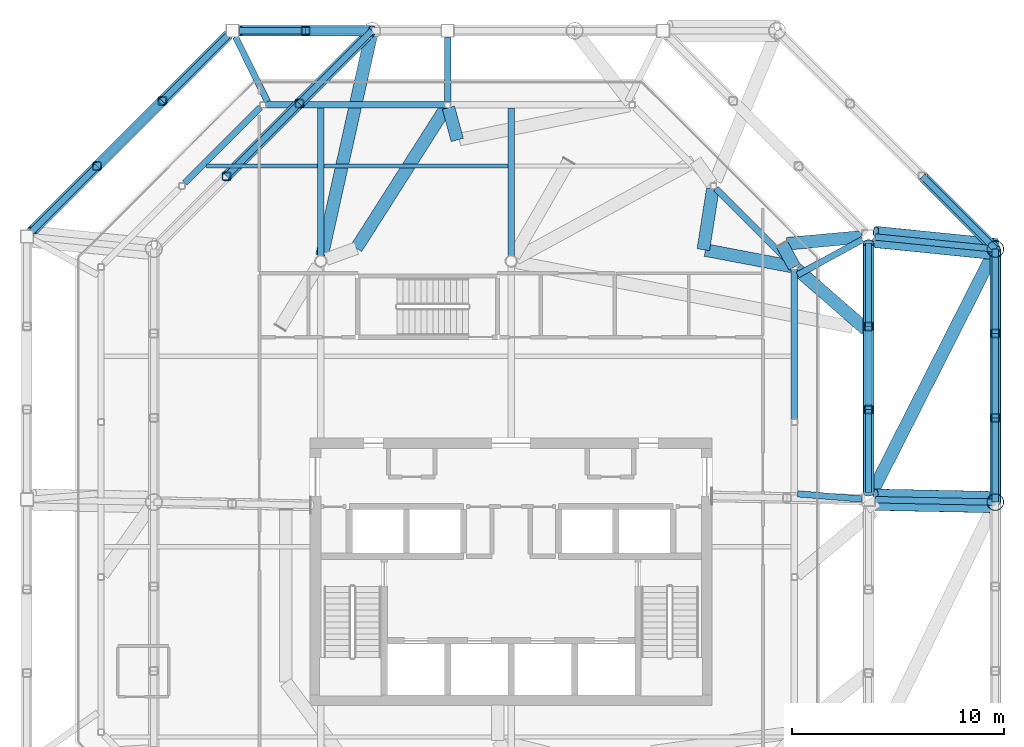
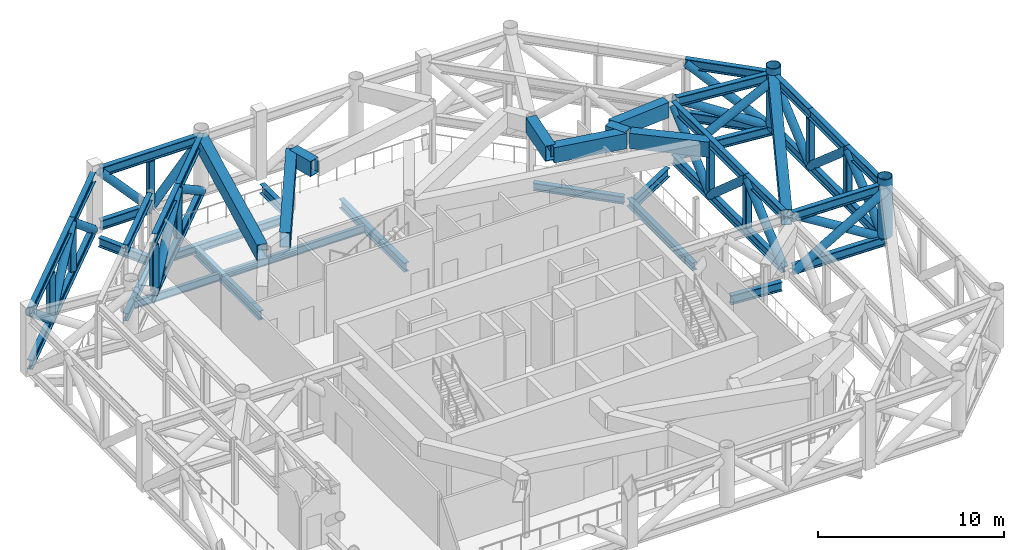
# One storey, part 5 of 14: 48 beams, 29 members.
"""IFC4 building model written with IfcOpenShell, lengths in metres."""

from ifc_helpers import new_model, si_unit, direction, frame, origin, origin_2d, place, context, subcontext, project, spatial, hollow_rectangle, hollow_circle, i_section, extrude, material, material_profile, profile_set, type_object, element, save


model = new_model("IFC4")

# Units and contexts
model_context = context("Model", 3, precision=1e-05, world=origin(), true_north=direction((0.0, 1.0)))
body_context = subcontext(model_context, "Body", "Model", "MODEL_VIEW")
ifc_project = project(units=[si_unit("LENGTHUNIT", "METRE"), si_unit("AREAUNIT", "SQUARE_METRE"), si_unit("VOLUMEUNIT", "CUBIC_METRE"), si_unit("PLANEANGLEUNIT", "RADIAN"), si_unit("MASSUNIT", "GRAM", prefix="KILO")], contexts=[model_context])

# Site, building, storey
site_placement = place(None, origin())
site = spatial("IfcSite", under=ifc_project, at=site_placement, CompositionType="ELEMENT")
building_placement = place(site_placement, origin())
building = spatial("IfcBuilding", under=site, at=building_placement, Name="Tskaro Facet Tower", CompositionType="ELEMENT")
storey_placement = place(building_placement, frame((0.0, 0.0, 255.0)))
storey = spatial("IfcBuildingStorey", under=building, at=storey_placement, Name="L67", CompositionType="ELEMENT", Elevation=255.0)

# Beams
ifc_material_1 = material(Name="Steel S355J2", Category="steel")
ifc_material_profile_1 = material_profile(ifc_material_1, hollow_rectangle(XDim=0.60009765625, YDim=1.0, WallThickness=0.0400390625, at=origin_2d()), Name="BOX 600x1000x40")
ifc_profile_set_1 = profile_set([ifc_material_profile_1], Name="Steel S355J2")
beam_type_1 = type_object("IfcBeamType", Name="BOX 600x1000x40 transfer girder", PredefinedType="BEAM", material=ifc_profile_set_1)
beam_1_placement = place(storey_placement, frame((12.802001953125, 9.802001953125, 3.580078125), z_axis=(0.479924772717, -0.877309644614, 0.0), x_axis=(0.877309644614, 0.479924772717, 0.0)))
element("IfcBeam", 1, at=beam_1_placement, inside=storey, type_object=beam_type_1, Name="BOX 600x1000x40 TG6-5", PredefinedType="BEAM", context=body_context, shape_type="SweptSolid", body=[
    extrude(hollow_rectangle(XDim=0.60009765625, YDim=1.0, WallThickness=0.0400390625, at=origin_2d()), origin(), (0.0, 0.0, 1.0), 1.2275390625),
])
beam_2_placement = place(storey_placement, frame((13.041015625, 9.82373046875, 3.580078125), z_axis=(0.995846893238, 0.09104375447, 0.0), x_axis=(-0.09104375447, 0.995846893238, 0.0)))
element("IfcBeam", 2, at=beam_2_placement, inside=storey, type_object=beam_type_1, Name="BOX 600x1000x40 TG6-6", PredefinedType="BEAM", context=body_context, shape_type="SweptSolid", body=[
    extrude(hollow_rectangle(XDim=0.60009765625, YDim=1.0, WallThickness=0.0400390625, at=origin_2d()), origin(), (0.0, 0.0, 1.0), 3.552978515625),
])
beam_3_placement = place(storey_placement, frame((-2.547607421875, 14.730712890625, 3.580078125), z_axis=(-0.262869093541, 0.964831508431, 0.0), x_axis=(-0.964831508431, -0.262869093541, 0.0)))
element("IfcBeam", 3, at=beam_3_placement, inside=storey, type_object=beam_type_1, Name="BOX 600x1000x40 TG6-11", PredefinedType="BEAM", context=body_context, shape_type="SweptSolid", body=[
    extrude(hollow_rectangle(XDim=0.60009765625, YDim=1.0, WallThickness=0.0400390625, at=origin_2d()), origin(), (0.0, 0.0, 1.0), 1.580810546875),
])
beam_4_placement = place(storey_placement, frame((-7.31787109375, 9.61279296875, 3.580078125), z_axis=(0.537271531332, 0.843409332187, 0.0), x_axis=(-0.843409332187, 0.537271531332, 0.0)))
element("IfcBeam", 4, at=beam_4_placement, inside=storey, type_object=beam_type_1, Name="BOX 600x1000x40 TG6-14", PredefinedType="BEAM", context=body_context, shape_type="SweptSolid", body=[
    extrude(hollow_rectangle(XDim=0.60009765625, YDim=1.0, WallThickness=0.0400390625, at=origin_2d()), origin(), (0.0, 0.0, 1.0), 7.896728515625),
])
beam_5_placement = place(storey_placement, frame((-6.572021484375, 19.89306640625, 3.580078125), z_axis=(-0.217554654295, -0.976048140408, 0.0), x_axis=(0.976048140408, -0.217554654295, 0.0)))
element("IfcBeam", 5, at=beam_5_placement, inside=storey, type_object=beam_type_1, Name="BOX 600x1000x40 TG6-19", PredefinedType="BEAM", context=body_context, shape_type="SweptSolid", body=[
    extrude(hollow_rectangle(XDim=0.60009765625, YDim=1.0, WallThickness=0.0400390625, at=origin_2d()), origin(), (0.0, 0.0, 1.0), 10.890869140625),
])
beam_6_placement = place(storey_placement, frame((9.085205078125, 9.54345703125, 3.580078125), z_axis=(0.154967768845, 0.987919526388, 0.0), x_axis=(-0.987919526388, 0.154967768845, 0.0)))
element("IfcBeam", 6, at=beam_6_placement, inside=storey, type_object=beam_type_1, Name="BOX 600x1000x40 TG6-20", PredefinedType="BEAM", context=body_context, shape_type="SweptSolid", body=[
    extrude(hollow_rectangle(XDim=0.60009765625, YDim=1.0, WallThickness=0.0400390625, at=origin_2d()), origin(), (0.0, 0.0, 1.0), 2.911376953125),
])
beam_7_placement = place(storey_placement, frame((9.183349609375, 9.524658203125, 3.580078125), z_axis=(0.982418939934, -0.186689652793, 0.0), x_axis=(0.186689652793, 0.982418939934, 0.0)))
element("IfcBeam", 7, at=beam_7_placement, inside=storey, type_object=beam_type_1, Name="BOX 600x1000x40 TG6-21", PredefinedType="BEAM", context=body_context, shape_type="SweptSolid", body=[
    extrude(hollow_rectangle(XDim=0.60009765625, YDim=1.0, WallThickness=0.0400390625, at=origin_2d()), origin(), (0.0, 0.0, 1.0), 4.142822265625),
])
beam_8_placement = place(storey_placement, frame((16.785400390625, 5.764404296875, 3.580078125), z_axis=(-0.753605023348, 0.657327520179, 0.0), x_axis=(-0.657327520179, -0.753605023348, 0.0)))
element("IfcBeam", 8, at=beam_8_placement, inside=storey, type_object=beam_type_1, Name="BOX 600x1000x40 TG6-29", PredefinedType="BEAM", context=body_context, shape_type="SweptSolid", body=[
    extrude(hollow_rectangle(XDim=0.60009765625, YDim=1.0, WallThickness=0.0400390625, at=origin_2d()), origin(), (0.0, 0.0, 1.0), 4.364013671875),
])
beam_9_placement = place(storey_placement, frame((22.89306640625, 9.572021484375, 3.580078125), z_axis=(-0.451939012682, -0.892048837686, 0.0), x_axis=(0.892048837686, -0.451939012682, 0.0)))
element("IfcBeam", 9, at=beam_9_placement, inside=storey, type_object=beam_type_1, Name="BOX 600x1000x40 TG6-35", PredefinedType="BEAM", context=body_context, shape_type="SweptSolid", body=[
    extrude(hollow_rectangle(XDim=0.60009765625, YDim=1.0, WallThickness=0.0400390625, at=origin_2d()), origin(), (0.0, 0.0, 1.0), 12.961181640625),
])

# Members
ifc_material_2 = material(Name="Steel S355J2H", Category="steel")
ifc_material_profile_2 = material_profile(ifc_material_2, hollow_circle(Radius=0.25390625, WallThickness=0.02490234375, at=origin_2d()), Name="CHS 508x25")
ifc_profile_set_2 = profile_set([ifc_material_profile_2], Name="Steel S355J2H")
member_type_1 = type_object("IfcMemberType", Name="CHS 508x25 belt diagonal", PredefinedType="BRACE", material=ifc_profile_set_2)
for number, where, z_axis, x_axis, name in (
    (10, (16.89306640625, -1.946044921875, 0.31005859375), (0.0, 0.750763446134, 0.660571152829), (-1.0, 0.0, 0.0), "CHS 508x25 BD5-051"),
    (11, (16.89306640625, 1.986328125, 3.77001953125), (0.0, 0.750763446134, -0.660571152829), (-1.0, 0.0, 0.0), "CHS 508x25 BD5-052"),
    (12, (16.89306640625, 5.918701171875, 0.31005859375), (0.0, 0.750763446134, 0.660571152829), (-1.0, 0.0, 0.0), "CHS 508x25 BD5-053"),
):
    element("IfcMember", number, at=place(storey_placement, frame(where, z_axis=z_axis, x_axis=x_axis)), inside=storey, type_object=member_type_1, Name=name, PredefinedType="BRACE", context=body_context, shape_type="SweptSolid", body=[
        extrude(hollow_circle(Radius=0.25390625, WallThickness=0.02490234375, at=origin_2d()), origin(), (0.0, 0.0, 1.0), 5.23779296875),
    ])
member_1_placement = place(storey_placement, frame((-6.572021484375, 19.89306640625, 3.77001953125), z_axis=(-0.671967615825, 0.0, -0.74058053126), x_axis=(0.0, -1.0, 0.0)))
element("IfcMember", 13, at=member_1_placement, inside=storey, type_object=member_type_1, Name="CHS 508x25 BD5-082", PredefinedType="BRACE", context=body_context, shape_type="SweptSolid", body=[
    extrude(hollow_circle(Radius=0.25390625, WallThickness=0.02490234375, at=origin_2d()), origin(), (0.0, 0.0, 1.0), 4.671875),
])
member_2_placement = place(storey_placement, frame((-9.71142578125, 19.89306640625, 0.31005859375), z_axis=(-0.671996274946, 0.0, 0.740554526324), x_axis=(0.0, -1.0, 0.0)))
element("IfcMember", 14, at=member_2_placement, inside=storey, type_object=member_type_1, Name="CHS 508x25 BD5-083", PredefinedType="BRACE", context=body_context, shape_type="SweptSolid", body=[
    extrude(hollow_circle(Radius=0.25390625, WallThickness=0.02490234375, at=origin_2d()), origin(), (0.0, 0.0, 1.0), 4.672119140625),
])
for number, where, z_axis, x_axis, name in (
    (15, (-13.40576171875, 19.6630859375, 0.31005859375), (-0.554109158015, -0.554065320265, 0.621268590775), (0.707078808531, -0.707134752736, 0.0), "CHS 508x25 BD5-091"),
    (16, (-16.49169921875, 16.577392578125, 3.77001953125), (-0.554078778968, -0.554078778968, -0.6212836819), (0.707106781187, -0.707106781187, 0.0), "CHS 508x25 BD5-092"),
    (17, (-19.577392578125, 13.49169921875, 0.31005859375), (-0.554065320265, -0.554109158015, 0.621268590775), (0.707134752736, -0.707078808531, 0.0), "CHS 508x25 BD5-093"),
):
    element("IfcMember", number, at=place(storey_placement, frame(where, z_axis=z_axis, x_axis=x_axis)), inside=storey, type_object=member_type_1, Name=name, PredefinedType="BRACE", context=body_context, shape_type="SweptSolid", body=[
        extrude(hollow_circle(Radius=0.25390625, WallThickness=0.02490234375, at=origin_2d()), origin(), (0.0, 0.0, 1.0), 5.569091796875),
    ])
for number, where, z_axis, x_axis, name in (
    (18, (22.89306640625, -2.39208984375, 0.31005859375), (0.0, 0.755345692843, 0.65532654784), (-1.0, 0.0, 0.0), "CHS 508x25 TB5-05-D1"),
    (19, (22.89306640625, 1.595947265625, 3.77001953125), (0.0, 0.755345692843, -0.65532654784), (-1.0, 0.0, 0.0), "CHS 508x25 TB5-05-D2"),
    (20, (22.89306640625, 5.583984375, 0.31005859375), (0.0, 0.755345692843, 0.65532654784), (-1.0, 0.0, 0.0), "CHS 508x25 TB5-05-D3"),
):
    element("IfcMember", number, at=place(storey_placement, frame(where, z_axis=z_axis, x_axis=x_axis)), inside=storey, type_object=member_type_1, Name=name, PredefinedType="BRACE", context=body_context, shape_type="SweptSolid", body=[
        extrude(hollow_circle(Radius=0.25390625, WallThickness=0.02490234375, at=origin_2d()), origin(), (0.0, 0.0, 1.0), 5.27978515625),
    ])
for number, where, z_axis, x_axis, name in (
    (21, (22.89306640625, 9.572021484375, 0.31005859375), (-0.576257741707, 0.576257741707, 0.579529145294), (-0.707106781187, -0.707106781187, 0.0), "CHS 508x25 TB5-06-D1"),
    (22, (-6.572021484375, 19.89306640625, 0.31005859375), (-0.576257741707, -0.576257741707, 0.579529145294), (0.707106781187, -0.707106781187, 0.0), "CHS 508x25 TB5-09-D1"),
):
    element("IfcMember", number, at=place(storey_placement, frame(where, z_axis=z_axis, x_axis=x_axis)), inside=storey, type_object=member_type_1, Name=name, PredefinedType="BRACE", context=body_context, shape_type="SweptSolid", body=[
        extrude(hollow_circle(Radius=0.25390625, WallThickness=0.02490234375, at=origin_2d()), origin(), (0.0, 0.0, 1.0), 5.97021484375),
    ])
member_3_placement = place(storey_placement, frame((-10.012451171875, 16.45263671875, 3.77001953125), z_axis=(-0.57624400681, -0.57624400681, -0.579556459053), x_axis=(0.707106781187, -0.707106781187, 0.0)))
element("IfcMember", 23, at=member_3_placement, inside=storey, type_object=member_type_1, Name="CHS 508x25 TB5-09-D2", PredefinedType="BRACE", context=body_context, shape_type="SweptSolid", body=[
    extrude(hollow_circle(Radius=0.25390625, WallThickness=0.02490234375, at=origin_2d()), origin(), (0.0, 0.0, 1.0), 5.969970703125),
])
for number, where, z_axis, x_axis, name in (
    (24, (17.212890625, -2.531494140625, 0.31005859375), (0.853698576328, -0.017224548604, 0.520482521993), (0.020172276506, 0.999796518928, 0.0), "CHS 508x25 TL5-05B-D1"),
    (25, (17.22314453125, -2.023681640625, 3.77001953125), (0.853699115795, -0.017187833349, -0.520482850895), (0.020129282702, 0.999797385463, 0.0), "CHS 508x25 TL5-05B-D2"),
):
    element("IfcMember", number, at=place(storey_placement, frame(where, z_axis=z_axis, x_axis=x_axis)), inside=storey, type_object=member_type_1, Name=name, PredefinedType="BRACE", context=body_context, shape_type="SweptSolid", body=[
        extrude(hollow_circle(Radius=0.25390625, WallThickness=0.02490234375, at=origin_2d()), origin(), (0.0, 0.0, 1.0), 6.647705078125),
    ])
for number, where, z_axis, x_axis, name in (
    (26, (17.19091796875, 9.890625, 0.31005859375), (0.850759466234, -0.085617458756, 0.518534455336), (0.100130734413, 0.994974289128, 0.0), "CHS 508x25 TL5-06A-D1"),
    (27, (17.24169921875, 10.396240234375, 3.77001953125), (0.850756800564, -0.085653779035, -0.518532830621), (0.100173096024, 0.994970025093, 0.0), "CHS 508x25 TL5-06A-D2"),
):
    element("IfcMember", number, at=place(storey_placement, frame(where, z_axis=z_axis, x_axis=x_axis)), inside=storey, type_object=member_type_1, Name=name, PredefinedType="BRACE", context=body_context, shape_type="SweptSolid", body=[
        extrude(hollow_circle(Radius=0.25390625, WallThickness=0.02490234375, at=origin_2d()), origin(), (0.0, 0.0, 1.0), 6.672607421875),
    ])
ifc_material_profile_3 = material_profile(ifc_material_2, hollow_circle(Radius=0.406494140625, WallThickness=0.035888671875, at=origin_2d()), Name="CHS 812.8x36")
ifc_profile_set_3 = profile_set([ifc_material_profile_3], Name="Steel S355J2H")
member_type_2 = type_object("IfcMemberType", Name="CHS 812.8x36 transfer node post", PredefinedType="POST", material=ifc_profile_set_3)
for number, where, z_axis, x_axis, name in (
    (28, (22.89306640625, -2.39208984375, 0.6201171875), (0.0, 0.0, 1.0), (1.0, 0.0, 0.0), "CHS 812.8x36 TN5-05"),
    (29, (22.89306640625, 9.572021484375, 0.6201171875), (0.0, 0.0, 1.0), (1.0, 0.0, 0.0), "CHS 812.8x36 TN5-06"),
):
    element("IfcMember", number, at=place(storey_placement, frame(where, z_axis=z_axis, x_axis=x_axis)), inside=storey, type_object=member_type_2, Name=name, PredefinedType="POST", context=body_context, shape_type="SweptSolid", body=[
        extrude(hollow_circle(Radius=0.406494140625, WallThickness=0.035888671875, at=origin_2d()), origin(), (0.0, 0.0, 1.0), 3.8798828125),
    ])

# Beams
ifc_material_profile_4 = material_profile(ifc_material_1, i_section(OverallWidth=0.300048828125, OverallDepth=0.5, WebThickness=0.014404296875, FlangeThickness=0.028076171875, FilletRadius=0.027099609375, at=origin_2d()), Name="HE 500 B")
ifc_profile_set_4 = profile_set([ifc_material_profile_4], Name="Steel S355J2")
beam_type_2 = type_object("IfcBeamType", Name="HE 500 B ring beam", PredefinedType="BEAM", material=ifc_profile_set_4)
beam_10_placement = place(storey_placement, frame((13.39111328125, 1.52392578125, -0.5), z_axis=(0.0, 1.0, 0.0), x_axis=(-1.0, 0.0, 0.0)))
element("IfcBeam", 30, at=beam_10_placement, inside=storey, type_object=beam_type_2, Name="HE 500 B EB7-5", PredefinedType="BEAM", context=body_context, shape_type="SweptSolid", body=[
    extrude(i_section(OverallWidth=0.300048828125, OverallDepth=0.5, WebThickness=0.014404296875, FlangeThickness=0.028076171875, FilletRadius=0.027099609375, at=origin_2d()), origin(), (0.0, 0.0, 1.0), 7.071044921875),
])
beam_11_placement = place(storey_placement, frame((13.255126953125, 8.86083984375, -0.5), z_axis=(-0.707106781187, 0.707106781187, 0.0), x_axis=(-0.707106781187, -0.707106781187, 0.0)))
element("IfcBeam", 31, at=beam_11_placement, inside=storey, type_object=beam_type_2, Name="HE 500 B EB8-5", PredefinedType="BEAM", context=body_context, shape_type="SweptSolid", body=[
    extrude(i_section(OverallWidth=0.300048828125, OverallDepth=0.5, WebThickness=0.014404296875, FlangeThickness=0.028076171875, FilletRadius=0.027099609375, at=origin_2d()), origin(), (0.0, 0.0, 1.0), 5.036376953125),
])
beam_12_placement = place(storey_placement, frame((-3.1298828125, 16.39111328125, -0.5), z_axis=(-1.0, 0.0, 0.0), x_axis=(0.0, -1.0, 0.0)))
element("IfcBeam", 32, at=beam_12_placement, inside=storey, type_object=beam_type_2, Name="HE 500 B EB11-5", PredefinedType="BEAM", context=body_context, shape_type="SweptSolid", body=[
    extrude(i_section(OverallWidth=0.300048828125, OverallDepth=0.5, WebThickness=0.014404296875, FlangeThickness=0.028076171875, FilletRadius=0.027099609375, at=origin_2d()), origin(), (0.0, 0.0, 1.0), 8.465087890625),
])
for number, where, z_axis, x_axis, name in (
    (33, (-11.86083984375, 16.255126953125, -0.5), (-0.707106781187, -0.707106781187, 0.0), (0.707106781187, -0.707106781187, 0.0), "HE 500 B EB12-5"),
    (34, (-11.86083984375, 16.255126953125, 4.0), (-0.707106781187, -0.707106781187, 0.0), (0.707106781187, -0.707106781187, 0.0), "HE 500 B EB12-5R"),
):
    element("IfcBeam", number, at=place(storey_placement, frame(where, z_axis=z_axis, x_axis=x_axis)), inside=storey, type_object=beam_type_2, Name=name, PredefinedType="BEAM", context=body_context, shape_type="SweptSolid", body=[
        extrude(i_section(OverallWidth=0.300048828125, OverallDepth=0.5, WebThickness=0.014404296875, FlangeThickness=0.028076171875, FilletRadius=0.027099609375, at=origin_2d()), origin(), (0.0, 0.0, 1.0), 5.036376953125),
    ])
ifc_material_profile_5 = material_profile(ifc_material_1, i_section(OverallWidth=0.300048828125, OverallDepth=0.590087890625, WebThickness=0.012939453125, FlangeThickness=0.02490234375, FilletRadius=0.027099609375, at=origin_2d()), Name="HE 600 A")
ifc_profile_set_5 = profile_set([ifc_material_profile_5], Name="Steel S355J2")
beam_type_3 = type_object("IfcBeamType", Name="HE 600 A girder", PredefinedType="BEAM", material=ifc_profile_set_5)
for number, where, z_axis, x_axis, name in (
    (35, (-9.0, 9.24951171875, -0.544921875), (0.0, 1.0, 0.0), (-1.0, 0.0, 0.0), "HE 600 A GB3-3-5"),
    (36, (0.0, 9.24951171875, -0.544921875), (0.0, 1.0, 0.0), (-1.0, 0.0, 0.0), "HE 600 A GB4-3-5"),
):
    element("IfcBeam", number, at=place(storey_placement, frame(where, z_axis=z_axis, x_axis=x_axis)), inside=storey, type_object=beam_type_3, Name=name, PredefinedType="BEAM", context=body_context, shape_type="SweptSolid", body=[
        extrude(i_section(OverallWidth=0.300048828125, OverallDepth=0.590087890625, WebThickness=0.012939453125, FlangeThickness=0.02490234375, FilletRadius=0.027099609375, at=origin_2d()), origin(), (0.0, 0.0, 1.0), 6.991455078125),
    ])
ifc_material_profile_6 = material_profile(ifc_material_1, i_section(OverallWidth=0.300048828125, OverallDepth=0.60009765625, WebThickness=0.015380859375, FlangeThickness=0.030029296875, FilletRadius=0.027099609375, at=origin_2d()), Name="HE 600 B")
ifc_profile_set_6 = profile_set([ifc_material_profile_6], Name="Steel S355J2")
beam_type_4 = type_object("IfcBeamType", Name="HE 600 B floor strut", PredefinedType="BEAM", material=ifc_profile_set_6)
beam_13_placement = place(storey_placement, frame((16.569091796875, -2.244873046875, -0.550048828125), z_axis=(-0.996752624815, 0.080524560999, 0.0), x_axis=(-0.080524560999, -0.996752624815, 0.0)))
element("IfcBeam", 37, at=beam_13_placement, inside=storey, type_object=beam_type_4, Name="HE 600 B ES5-05", PredefinedType="BEAM", context=body_context, shape_type="SweptSolid", body=[
    extrude(i_section(OverallWidth=0.300048828125, OverallDepth=0.60009765625, WebThickness=0.015380859375, FlangeThickness=0.030029296875, FilletRadius=0.027099609375, at=origin_2d()), origin(), (0.0, 0.0, 1.0), 3.037841796875),
])
beam_14_placement = place(storey_placement, frame((16.607666015625, 10.0205078125, -0.550048828125), z_axis=(-0.878114555833, -0.478450443446, 0.0), x_axis=(0.478450443446, -0.878114555833, 0.0)))
element("IfcBeam", 38, at=beam_14_placement, inside=storey, type_object=beam_type_4, Name="HE 600 B ES5-06", PredefinedType="BEAM", context=body_context, shape_type="SweptSolid", body=[
    extrude(i_section(OverallWidth=0.300048828125, OverallDepth=0.60009765625, WebThickness=0.015380859375, FlangeThickness=0.030029296875, FilletRadius=0.027099609375, at=origin_2d()), origin(), (0.0, 0.0, 1.0), 3.492431640625),
])
beam_15_placement = place(storey_placement, frame((-3.0, 19.568115234375, -0.550048828125), z_axis=(0.0, -1.0, 0.0), x_axis=(1.0, 0.0, 0.0)))
element("IfcBeam", 39, at=beam_15_placement, inside=storey, type_object=beam_type_4, Name="HE 600 B ES5-08", PredefinedType="BEAM", context=body_context, shape_type="SweptSolid", body=[
    extrude(i_section(OverallWidth=0.300048828125, OverallDepth=0.60009765625, WebThickness=0.015380859375, FlangeThickness=0.030029296875, FilletRadius=0.027099609375, at=origin_2d()), origin(), (0.0, 0.0, 1.0), 3.027099609375),
])
beam_16_placement = place(storey_placement, frame((-13.03173828125, 19.601806640625, -0.550048828125), z_axis=(0.443635775775, -0.896207173846, 0.0), x_axis=(0.896207173846, 0.443635775775, 0.0)))
element("IfcBeam", 40, at=beam_16_placement, inside=storey, type_object=beam_type_4, Name="HE 600 B ES5-09", PredefinedType="BEAM", context=body_context, shape_type="SweptSolid", body=[
    extrude(i_section(OverallWidth=0.300048828125, OverallDepth=0.60009765625, WebThickness=0.015380859375, FlangeThickness=0.030029296875, FilletRadius=0.027099609375, at=origin_2d()), origin(), (0.0, 0.0, 1.0), 3.415283203125),
])
ifc_material_profile_7 = material_profile(ifc_material_1, i_section(OverallWidth=0.304931640625, OverallDepth=0.6201171875, WebThickness=0.02099609375, FlangeThickness=0.0400390625, FilletRadius=0.027099609375, at=origin_2d()), Name="HE 600 M")
ifc_profile_set_7 = profile_set([ifc_material_profile_7], Name="Steel S355J2")
beam_type_5 = type_object("IfcBeamType", Name="HE 600 M belt chord", PredefinedType="BEAM", material=ifc_profile_set_7)
beam_17_placement = place(storey_placement, frame((16.89306640625, -1.946044921875, 3.77001953125), z_axis=(0.0, 1.0, 0.0), x_axis=(-1.0, 0.0, 0.0)))
element("IfcBeam", 41, at=beam_17_placement, inside=storey, type_object=beam_type_5, Name="HE 600 M BT5-05T1", PredefinedType="BEAM", context=body_context, shape_type="SweptSolid", body=[
    extrude(i_section(OverallWidth=0.304931640625, OverallDepth=0.6201171875, WebThickness=0.02099609375, FlangeThickness=0.0400390625, FilletRadius=0.027099609375, at=origin_2d()), origin(), (0.0, 0.0, 1.0), 3.932373046875),
])
for number, where, z_axis, x_axis, name in (
    (42, (16.89306640625, 1.986328125, 3.77001953125), (0.0, 1.0, 0.0), (-1.0, 0.0, 0.0), "HE 600 M BT5-05T2"),
    (43, (16.89306640625, -1.946044921875, 0.31005859375), (0.0, 1.0, 0.0), (-1.0, 0.0, 0.0), "HE 600 M BT5-05B1"),
):
    element("IfcBeam", number, at=place(storey_placement, frame(where, z_axis=z_axis, x_axis=x_axis)), inside=storey, type_object=beam_type_5, Name=name, PredefinedType="BEAM", context=body_context, shape_type="SweptSolid", body=[
        extrude(i_section(OverallWidth=0.304931640625, OverallDepth=0.6201171875, WebThickness=0.02099609375, FlangeThickness=0.0400390625, FilletRadius=0.027099609375, at=origin_2d()), origin(), (0.0, 0.0, 1.0), 7.86474609375),
    ])
beam_18_placement = place(storey_placement, frame((16.89306640625, 5.918701171875, 0.31005859375), z_axis=(0.0, 1.0, 0.0), x_axis=(-1.0, 0.0, 0.0)))
element("IfcBeam", 44, at=beam_18_placement, inside=storey, type_object=beam_type_5, Name="HE 600 M BT5-05B2", PredefinedType="BEAM", context=body_context, shape_type="SweptSolid", body=[
    extrude(i_section(OverallWidth=0.304931640625, OverallDepth=0.6201171875, WebThickness=0.02099609375, FlangeThickness=0.0400390625, FilletRadius=0.027099609375, at=origin_2d()), origin(), (0.0, 0.0, 1.0), 3.932373046875),
])
beam_19_placement = place(storey_placement, frame((-6.572021484375, 19.89306640625, 3.77001953125), z_axis=(-1.0, 0.0, 0.0), x_axis=(0.0, -1.0, 0.0)))
element("IfcBeam", 45, at=beam_19_placement, inside=storey, type_object=beam_type_5, Name="HE 600 M BT5-08T2", PredefinedType="BEAM", context=body_context, shape_type="SweptSolid", body=[
    extrude(i_section(OverallWidth=0.304931640625, OverallDepth=0.6201171875, WebThickness=0.02099609375, FlangeThickness=0.0400390625, FilletRadius=0.027099609375, at=origin_2d()), origin(), (0.0, 0.0, 1.0), 6.279052734375),
])
beam_20_placement = place(storey_placement, frame((-9.71142578125, 19.89306640625, 0.31005859375), z_axis=(-1.0, 0.0, 0.0), x_axis=(0.0, -1.0, 0.0)))
element("IfcBeam", 46, at=beam_20_placement, inside=storey, type_object=beam_type_5, Name="HE 600 M BT5-08B2", PredefinedType="BEAM", context=body_context, shape_type="SweptSolid", body=[
    extrude(i_section(OverallWidth=0.304931640625, OverallDepth=0.6201171875, WebThickness=0.02099609375, FlangeThickness=0.0400390625, FilletRadius=0.027099609375, at=origin_2d()), origin(), (0.0, 0.0, 1.0), 3.1396484375),
])
beam_21_placement = place(storey_placement, frame((-13.40576171875, 19.6630859375, 3.77001953125), z_axis=(-0.707134752736, -0.707078808531, 0.0), x_axis=(0.707078808531, -0.707134752736, 0.0)))
element("IfcBeam", 47, at=beam_21_placement, inside=storey, type_object=beam_type_5, Name="HE 600 M BT5-09T1", PredefinedType="BEAM", context=body_context, shape_type="SweptSolid", body=[
    extrude(i_section(OverallWidth=0.304931640625, OverallDepth=0.6201171875, WebThickness=0.02099609375, FlangeThickness=0.0400390625, FilletRadius=0.027099609375, at=origin_2d()), origin(), (0.0, 0.0, 1.0), 4.364013671875),
])
for number, where, z_axis, x_axis, name in (
    (48, (-16.49169921875, 16.577392578125, 3.77001953125), (-0.70709279472, -0.707120767376, 0.0), (0.707120767376, -0.70709279472, 0.0), "HE 600 M BT5-09T2"),
    (49, (-13.40576171875, 19.6630859375, 0.31005859375), (-0.707120767376, -0.70709279472, 0.0), (0.70709279472, -0.707120767376, 0.0), "HE 600 M BT5-09B1"),
):
    element("IfcBeam", number, at=place(storey_placement, frame(where, z_axis=z_axis, x_axis=x_axis)), inside=storey, type_object=beam_type_5, Name=name, PredefinedType="BEAM", context=body_context, shape_type="SweptSolid", body=[
        extrude(i_section(OverallWidth=0.304931640625, OverallDepth=0.6201171875, WebThickness=0.02099609375, FlangeThickness=0.0400390625, FilletRadius=0.027099609375, at=origin_2d()), origin(), (0.0, 0.0, 1.0), 8.727783203125),
    ])
beam_22_placement = place(storey_placement, frame((-19.577392578125, 13.49169921875, 0.31005859375), z_axis=(-0.707078808531, -0.707134752736, 0.0), x_axis=(0.707134752736, -0.707078808531, 0.0)))
element("IfcBeam", 50, at=beam_22_placement, inside=storey, type_object=beam_type_5, Name="HE 600 M BT5-09B2", PredefinedType="BEAM", context=body_context, shape_type="SweptSolid", body=[
    extrude(i_section(OverallWidth=0.304931640625, OverallDepth=0.6201171875, WebThickness=0.02099609375, FlangeThickness=0.0400390625, FilletRadius=0.027099609375, at=origin_2d()), origin(), (0.0, 0.0, 1.0), 4.364013671875),
])
for number, where, z_axis, x_axis, name in (
    (51, (22.89306640625, -2.39208984375, 3.77001953125), (0.0, 1.0, 0.0), (-1.0, 0.0, 0.0), "HE 600 M TB5-05-T1"),
    (52, (22.89306640625, -2.39208984375, 0.31005859375), (0.0, 1.0, 0.0), (-1.0, 0.0, 0.0), "HE 600 M TB5-05-B1"),
    (53, (22.89306640625, 1.595947265625, 3.77001953125), (0.0, 1.0, 0.0), (-1.0, 0.0, 0.0), "HE 600 M TB5-05-T2"),
    (54, (22.89306640625, 1.595947265625, 0.31005859375), (0.0, 1.0, 0.0), (-1.0, 0.0, 0.0), "HE 600 M TB5-05-B2"),
    (55, (22.89306640625, 5.583984375, 3.77001953125), (0.0, 1.0, 0.0), (-1.0, 0.0, 0.0), "HE 600 M TB5-05-T3"),
    (56, (22.89306640625, 5.583984375, 0.31005859375), (0.0, 1.0, 0.0), (-1.0, 0.0, 0.0), "HE 600 M TB5-05-B3"),
):
    element("IfcBeam", number, at=place(storey_placement, frame(where, z_axis=z_axis, x_axis=x_axis)), inside=storey, type_object=beam_type_5, Name=name, PredefinedType="BEAM", context=body_context, shape_type="SweptSolid", body=[
        extrude(i_section(OverallWidth=0.304931640625, OverallDepth=0.6201171875, WebThickness=0.02099609375, FlangeThickness=0.0400390625, FilletRadius=0.027099609375, at=origin_2d()), origin(), (0.0, 0.0, 1.0), 3.988037109375),
    ])
for number, where, z_axis, x_axis, name in (
    (57, (22.89306640625, 9.572021484375, 3.77001953125), (-0.707106781187, 0.707106781187, 0.0), (-0.707106781187, -0.707106781187, 0.0), "HE 600 M TB5-06-T1"),
    (58, (22.89306640625, 9.572021484375, 0.31005859375), (-0.707106781187, 0.707106781187, 0.0), (-0.707106781187, -0.707106781187, 0.0), "HE 600 M TB5-06-B1"),
    (59, (-6.572021484375, 19.89306640625, 3.77001953125), (-0.707106781187, -0.707106781187, 0.0), (0.707106781187, -0.707106781187, 0.0), "HE 600 M TB5-09-T1"),
    (60, (-6.572021484375, 19.89306640625, 0.31005859375), (-0.707106781187, -0.707106781187, 0.0), (0.707106781187, -0.707106781187, 0.0), "HE 600 M TB5-09-B1"),
):
    element("IfcBeam", number, at=place(storey_placement, frame(where, z_axis=z_axis, x_axis=x_axis)), inside=storey, type_object=beam_type_5, Name=name, PredefinedType="BEAM", context=body_context, shape_type="SweptSolid", body=[
        extrude(i_section(OverallWidth=0.304931640625, OverallDepth=0.6201171875, WebThickness=0.02099609375, FlangeThickness=0.0400390625, FilletRadius=0.027099609375, at=origin_2d()), origin(), (0.0, 0.0, 1.0), 4.865478515625),
    ])
for number, where, z_axis, x_axis, name in (
    (61, (-10.012451171875, 16.45263671875, 3.77001953125), (-0.707106781187, -0.707106781187, 0.0), (0.707106781187, -0.707106781187, 0.0), "HE 600 M TB5-09-T2"),
    (62, (-10.012451171875, 16.45263671875, 0.31005859375), (-0.707106781187, -0.707106781187, 0.0), (0.707106781187, -0.707106781187, 0.0), "HE 600 M TB5-09-B2"),
):
    element("IfcBeam", number, at=place(storey_placement, frame(where, z_axis=z_axis, x_axis=x_axis)), inside=storey, type_object=beam_type_5, Name=name, PredefinedType="BEAM", context=body_context, shape_type="SweptSolid", body=[
        extrude(i_section(OverallWidth=0.304931640625, OverallDepth=0.6201171875, WebThickness=0.02099609375, FlangeThickness=0.0400390625, FilletRadius=0.027099609375, at=origin_2d()), origin(), (0.0, 0.0, 1.0), 4.865234375),
    ])
for number, where, z_axis, x_axis, name in (
    (63, (17.218017578125, -2.277587890625, 3.77001953125), (0.999796518928, -0.020172276506, 0.0), (0.020172276506, 0.999796518928, 0.0), "HE 600 M TL5-05B-T1"),
    (64, (17.218017578125, -2.277587890625, 0.31005859375), (0.999796518928, -0.020172276506, 0.0), (0.020172276506, 0.999796518928, 0.0), "HE 600 M TL5-05B-B1"),
):
    element("IfcBeam", number, at=place(storey_placement, frame(where, z_axis=z_axis, x_axis=x_axis)), inside=storey, type_object=beam_type_5, Name=name, PredefinedType="BEAM", context=body_context, shape_type="SweptSolid", body=[
        extrude(i_section(OverallWidth=0.304931640625, OverallDepth=0.6201171875, WebThickness=0.02099609375, FlangeThickness=0.0400390625, FilletRadius=0.027099609375, at=origin_2d()), origin(), (0.0, 0.0, 1.0), 5.67626953125),
    ])
for number, where, z_axis, x_axis, name in (
    (65, (17.21630859375, 10.1435546875, 3.77001953125), (0.994970025093, -0.100173096024, 0.0), (0.100173096024, 0.994970025093, 0.0), "HE 600 M TL5-06A-T1"),
    (66, (17.21630859375, 10.1435546875, 0.31005859375), (0.994970025093, -0.100173096024, 0.0), (0.100173096024, 0.994970025093, 0.0), "HE 600 M TL5-06A-B1"),
):
    element("IfcBeam", number, at=place(storey_placement, frame(where, z_axis=z_axis, x_axis=x_axis)), inside=storey, type_object=beam_type_5, Name=name, PredefinedType="BEAM", context=body_context, shape_type="SweptSolid", body=[
        extrude(i_section(OverallWidth=0.304931640625, OverallDepth=0.6201171875, WebThickness=0.02099609375, FlangeThickness=0.0400390625, FilletRadius=0.027099609375, at=origin_2d()), origin(), (0.0, 0.0, 1.0), 5.70556640625),
    ])
ifc_material_profile_8 = material_profile(ifc_material_1, i_section(OverallWidth=0.199951171875, OverallDepth=0.5, WebThickness=0.01025390625, FlangeThickness=0.01611328125, FilletRadius=0.02099609375, at=origin_2d()), Name="IPE 500")
ifc_profile_set_8 = profile_set([ifc_material_profile_8], Name="Steel S355J2")
beam_type_6 = type_object("IfcBeamType", Name="IPE 500 secondary beam", PredefinedType="BEAM", material=ifc_profile_set_8)
beam_23_placement = place(storey_placement, frame((-14.404052734375, 13.5, -0.5), z_axis=(1.0, 0.0, 0.0), x_axis=(0.0, 1.0, 0.0)))
element("IfcBeam", 67, at=beam_23_placement, inside=storey, type_object=beam_type_6, Name="IPE 500 SB5a-1-5", PredefinedType="BEAM", context=body_context, shape_type="SweptSolid", body=[
    extrude(i_section(OverallWidth=0.199951171875, OverallDepth=0.5, WebThickness=0.01025390625, FlangeThickness=0.01611328125, FilletRadius=0.02099609375, at=origin_2d()), origin(), (0.0, 0.0, 1.0), 5.254150390625),
])
beam_24_placement = place(storey_placement, frame((-8.85009765625, 13.5, -0.5), z_axis=(1.0, 0.0, 0.0), x_axis=(0.0, 1.0, 0.0)))
element("IfcBeam", 68, at=beam_24_placement, inside=storey, type_object=beam_type_6, Name="IPE 500 SB5a-2-5", PredefinedType="BEAM", context=body_context, shape_type="SweptSolid", body=[
    extrude(i_section(OverallWidth=0.199951171875, OverallDepth=0.5, WebThickness=0.01025390625, FlangeThickness=0.01611328125, FilletRadius=0.02099609375, at=origin_2d()), origin(), (0.0, 0.0, 1.0), 8.7001953125),
])

# Members
ifc_material_profile_9 = material_profile(ifc_material_2, hollow_rectangle(XDim=0.39990234375, YDim=0.39990234375, WallThickness=0.02490234375, InnerFilletRadius=0.03759765625, OuterFilletRadius=0.0625, at=origin_2d()), Name="SHS 400x400x25")
ifc_profile_set_9 = profile_set([ifc_material_profile_9], Name="Steel S355J2H")
member_type_3 = type_object("IfcMemberType", Name="SHS 400x400x25 belt post", PredefinedType="POST", material=ifc_profile_set_9)
for number, where, z_axis, x_axis, name in (
    (69, (16.89306640625, 1.986328125, 0.6201171875), (0.0, 0.0, 1.0), (1.0, 0.0, 0.0), "SHS 400x400x25 BP5-051"),
    (70, (16.89306640625, 5.918701171875, 0.6201171875), (0.0, 0.0, 1.0), (1.0, 0.0, 0.0), "SHS 400x400x25 BP5-052"),
    (71, (-9.71142578125, 19.89306640625, 0.6201171875), (0.0, 0.0, 1.0), (1.0, 0.0, 0.0), "SHS 400x400x25 BP5-082"),
    (72, (-16.49169921875, 16.577392578125, 0.6201171875), (0.0, 0.0, 1.0), (1.0, 0.0, 0.0), "SHS 400x400x25 BP5-091"),
    (73, (-19.577392578125, 13.49169921875, 0.6201171875), (0.0, 0.0, 1.0), (1.0, 0.0, 0.0), "SHS 400x400x25 BP5-092"),
    (74, (22.89306640625, 1.595947265625, 0.6201171875), (0.0, 0.0, 1.0), (1.0, 0.0, 0.0), "SHS 400x400x25 TB5-05-P1"),
    (75, (22.89306640625, 5.583984375, 0.6201171875), (0.0, 0.0, 1.0), (1.0, 0.0, 0.0), "SHS 400x400x25 TB5-05-P2"),
    (76, (-10.012451171875, 16.45263671875, 0.6201171875), (0.0, 0.0, 1.0), (1.0, 0.0, 0.0), "SHS 400x400x25 TB5-09-P1"),
    (77, (-13.45263671875, 13.012451171875, 0.6201171875), (0.0, 0.0, 1.0), (1.0, 0.0, 0.0), "SHS 400x400x25 TB5-09-P2"),
):
    element("IfcMember", number, at=place(storey_placement, frame(where, z_axis=z_axis, x_axis=x_axis)), inside=storey, type_object=member_type_3, Name=name, PredefinedType="POST", context=body_context, shape_type="SweptSolid", body=[
        extrude(hollow_rectangle(XDim=0.39990234375, YDim=0.39990234375, WallThickness=0.02490234375, InnerFilletRadius=0.03759765625, OuterFilletRadius=0.0625, at=origin_2d()), origin(), (0.0, 0.0, 1.0), 2.83984375),
    ])

save(model, "model.ifc")
